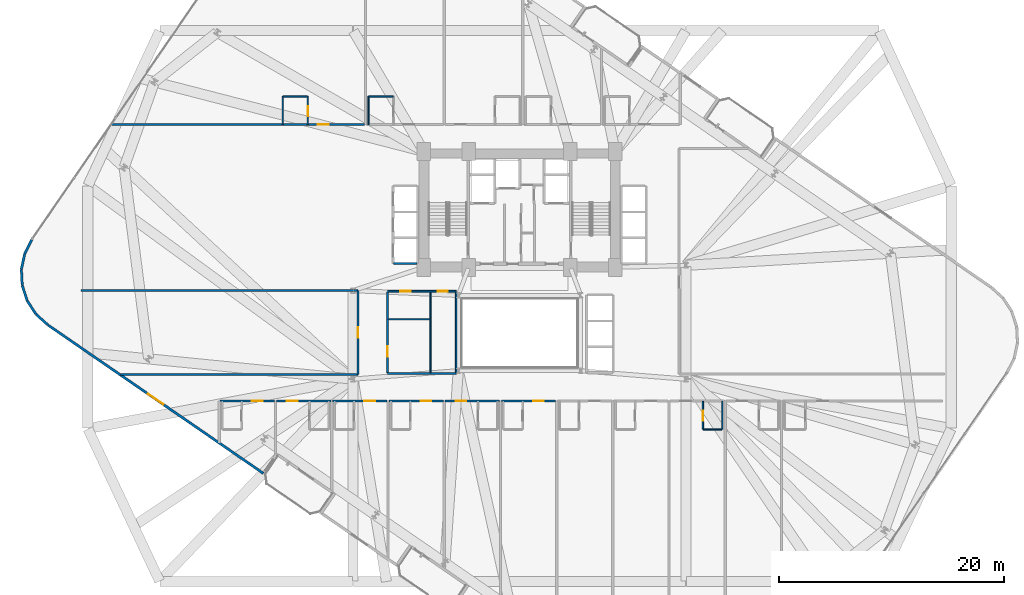
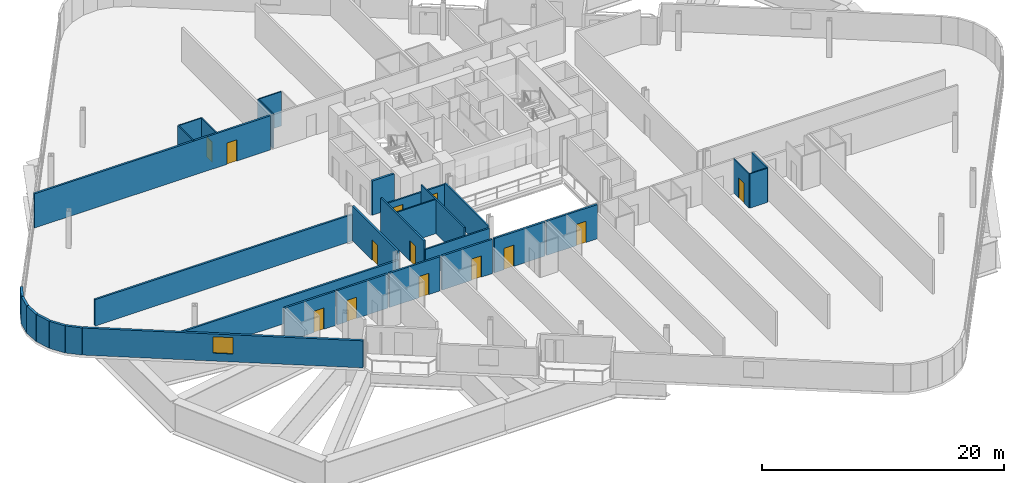
# One storey, part 19 of 26: 32 walls, 13 doors, 1 window, 14 openings.
"""IFC4 building model written with IfcOpenShell, lengths in metres."""

from ifc_helpers import new_model, si_unit, direction, frame, frame_2d, origin, place, context, subcontext, project, spatial, rectangle, extrude, material, layer, layer_set, type_object, element, fill, save


model = new_model("IFC4")

# Units and contexts
model_context = context("Model", 3, precision=1e-05, world=origin(), true_north=direction((0.0, 1.0)))
body_context = subcontext(model_context, "Body", "Model", "MODEL_VIEW")
ifc_project = project(units=[si_unit("LENGTHUNIT", "METRE"), si_unit("AREAUNIT", "SQUARE_METRE"), si_unit("VOLUMEUNIT", "CUBIC_METRE"), si_unit("PLANEANGLEUNIT", "RADIAN"), si_unit("MASSUNIT", "GRAM", prefix="KILO")], contexts=[model_context])

# Site, building, storey
site_placement = place(None, origin())
site = spatial("IfcSite", under=ifc_project, at=site_placement, CompositionType="ELEMENT")
building_placement = place(site_placement, origin())
building = spatial("IfcBuilding", under=site, at=building_placement, Name="Varnelok Gate Tower", CompositionType="ELEMENT")
storey_placement = place(building_placement, frame((0.0, 0.0, 27.0)))
storey = spatial("IfcBuildingStorey", under=building, at=storey_placement, Name="L05", CompositionType="ELEMENT", Elevation=27.0)

# Walls
ifc_material_1 = material(Name="Concrete C45/55", Category="concrete")
ifc_layer_1 = layer(ifc_material_1, 0.219970703125)
ifc_layer_set_1 = layer_set([ifc_layer_1], Name="Concrete C45/55")
wall_type_1 = type_object("IfcWallType", Name="EW-BALC-220", PredefinedType="SOLIDWALL", material=ifc_layer_set_1)
wall_1_placement = place(storey_placement, frame((-4.158203125, 31.24462890625, 0.0), z_axis=(0.0, 0.0, 1.0), x_axis=(-0.454777156549, -0.890605264908, 0.0)))
element("IfcWall", 1, at=wall_1_placement, inside=storey, type_object=wall_type_1, Name="L05 Perimeter Facade Closure Wall 1", PredefinedType="SOLIDWALL", context=body_context, shape_type="SweptSolid", body=[
    extrude(rectangle(XDim=1.43017578125, YDim=0.219970703125, at=frame_2d((0.715087890625, 0.0))), origin(), (0.0, 0.0, 1.0), 2.72998046875),
])
for number, where, z_axis, x_axis, name in (
    (2, (-4.81396484375, 29.946533203125, 0.0), (0.0, 0.0, 1.0), (-0.208829011645, -0.977952168511, 0.0), "L05 Perimeter Facade Closure Wall 2"),
    (3, (-5.106201171875, 28.547119140625, 0.0), (0.0, 0.0, 1.0), (0.051254741739, -0.998685611917, 0.0), "L05 Perimeter Facade Closure Wall 3"),
    (4, (-5.026611328125, 27.1201171875, 0.0), (0.0, 0.0, 1.0), (0.308190297603, -0.95132472924, 0.0), "L05 Perimeter Facade Closure Wall 4"),
    (5, (-4.580078125, 25.76220703125, 0.0), (0.0, 0.0, 1.0), (0.543748195851, -0.839248413468, 0.0), "L05 Perimeter Facade Closure Wall 5"),
):
    element("IfcWall", number, at=place(storey_placement, frame(where, z_axis=z_axis, x_axis=x_axis)), inside=storey, type_object=wall_type_1, Name=name, PredefinedType="SOLIDWALL", context=body_context, shape_type="SweptSolid", body=[
        extrude(rectangle(XDim=1.4052734375, YDim=0.219970703125, at=frame_2d((0.70263671875, 0.0))), origin(), (0.0, 0.0, 1.0), 2.72998046875),
    ])
wall_2_placement = place(storey_placement, frame((-3.79736328125, 24.56591796875, 0.0), z_axis=(0.0, 0.0, 1.0), x_axis=(0.742537711837, -0.66980425984, 0.0)))
element("IfcWall", 6, at=wall_2_placement, inside=storey, type_object=wall_type_1, Name="L05 Perimeter Facade Closure Wall 6", PredefinedType="SOLIDWALL", context=body_context, shape_type="SweptSolid", body=[
    extrude(rectangle(XDim=1.4130859375, YDim=0.219970703125, at=frame_2d((0.70654296875, 0.0))), origin(), (0.0, 0.0, 1.0), 2.72998046875),
])

# Wall, opening, window
wall_3_placement = place(storey_placement, frame((-2.7275390625, 23.60498046875, 0.0), z_axis=(0.0, 0.0, 1.0), x_axis=(0.823535075462, -0.567265351915, 0.0)))
wall_3 = element("IfcWall", 7, at=wall_3_placement, inside=storey, type_object=wall_type_1, Name="L05 Perimeter Facade Closure Wall 7", PredefinedType="SOLIDWALL", context=body_context, shape_type="SweptSolid", body=[
    extrude(rectangle(XDim=23.2470703125, YDim=0.219970703125, at=frame_2d((11.62353515625, 0.0))), origin(), (0.0, 0.0, 1.0), 2.72998046875),
])
opening_1_placement = place(wall_3_placement, frame((10.798583984375, 0.0, 0.800048828125)))
opening_1 = element("IfcOpeningElement", 8, at=opening_1_placement, cuts=wall_3, Name="Opening WN3", PredefinedType="OPENING", context=body_context, shape_type="SweptSolid", body=[
    extrude(rectangle(XDim=1.64990234375, YDim=1.64990234375, at=frame_2d((0.824951171875, 0.824951171875))), frame((0.0, 0.119873046875, 0.0), z_axis=(0.0, -1.0, 0.0), x_axis=(1.0, 0.0, 0.0)), (0.0, 0.0, 1.0), 0.239990234375),
])
ifc_material_2 = material(Name="Low-E Laminated Double Glazing IGU", Category="glass")
window_type = type_object("IfcWindowType", Name="WN-HTL-1650", PartitioningType="SINGLE_PANEL", PredefinedType="WINDOW", material=ifc_material_2)
window_placement = place(opening_1_placement, origin())
window = element("IfcWindow", 9, at=window_placement, inside=storey, type_object=window_type, Name="L05 Perimeter Vision Window 7", OverallHeight=1.64990234375, OverallWidth=1.64990234375, PartitioningType="SINGLE_PANEL", PredefinedType="WINDOW", context=body_context, shape_type="SweptSolid", body=[
    extrude(rectangle(XDim=1.64990234375, YDim=1.64990234375, at=frame_2d((0.824951171875, 0.824951171875))), frame((0.0, 0.030029296875, 0.0), z_axis=(0.0, -1.0, 0.0), x_axis=(1.0, 0.0, 0.0)), (0.0, 0.0, 1.0), 0.06005859375),
])
fill(opening_1, window)

# Wall, opening, door
ifc_material_3 = material(Name="Gypsum Plasterboard Acoustic Partition", Category="gypsum")
ifc_layer_2 = layer(ifc_material_3, 0.179931640625)
ifc_layer_set_2 = layer_set([ifc_layer_2], Name="Gypsum Plasterboard Acoustic Partition")
wall_type_2 = type_object("IfcWallType", Name="PW-CORR-180", PredefinedType="PARTITIONING", material=ifc_layer_set_2)
wall_4_placement = place(storey_placement, frame((12.580078125, 16.85009765625, 0.0), z_axis=(0.0, 0.0, 1.0), x_axis=(1.0, 0.0, 0.0)))
wall_4 = element("IfcWall", 10, at=wall_4_placement, inside=storey, type_object=wall_type_2, Name="Interior Partition", PredefinedType="PARTITIONING", context=body_context, shape_type="SweptSolid", body=[
    extrude(rectangle(XDim=4.83984375, YDim=0.179931640625, at=frame_2d((2.419921875, 0.0))), origin(), (0.0, 0.0, 1.0), 3.449951171875),
])
opening_2_placement = place(wall_4_placement, frame((2.819091796875, 0.0, 0.0)))
opening_2 = element("IfcOpeningElement", 11, at=opening_2_placement, cuts=wall_4, Name="Opening D-HT", PredefinedType="OPENING", context=body_context, shape_type="SweptSolid", body=[
    extrude(rectangle(XDim=0.949951171875, YDim=2.14990234375, at=frame_2d((0.47509765625, 1.074951171875))), frame((0.0, 0.099853515625, 0.0), z_axis=(0.0, -1.0, 0.0), x_axis=(1.0, 0.0, 0.0)), (0.0, 0.0, 1.0), 0.199951171875),
])
ifc_material_4 = material(Name="Engineered Hardwood Timber", Category="wood")
door_type_1 = type_object("IfcDoorType", Name="DR-HTL-950", OperationType="NOTDEFINED", PredefinedType="DOOR", material=ifc_material_4)
door_1_placement = place(opening_2_placement, origin())
door_1 = element("IfcDoor", 12, at=door_1_placement, inside=storey, type_object=door_type_1, Name="L05 Guest Room 02 Entrance Door", OperationType="SINGLE_SWING_LEFT", OverallHeight=2.14990234375, OverallWidth=0.949951171875, PredefinedType="DOOR", context=body_context, shape_type="SweptSolid", body=[
    extrude(rectangle(XDim=0.949951171875, YDim=2.14990234375, at=frame_2d((0.47509765625, 1.074951171875))), frame((0.0, 0.02490234375, 0.0), z_axis=(0.0, -1.0, 0.0), x_axis=(1.0, 0.0, 0.0)), (0.0, 0.0, 1.0), 0.050048828125),
])
fill(opening_2, door_1)

wall_5_placement = place(storey_placement, frame((17.580078125, 16.85009765625, 0.0), z_axis=(0.0, 0.0, 1.0), x_axis=(1.0, 0.0, 0.0)))
wall_5 = element("IfcWall", 13, at=wall_5_placement, inside=storey, type_object=wall_type_2, Name="Interior Partition", PredefinedType="PARTITIONING", context=body_context, shape_type="SweptSolid", body=[
    extrude(rectangle(XDim=4.83984375, YDim=0.179931640625, at=frame_2d((2.419921875, 0.0))), origin(), (0.0, 0.0, 1.0), 3.449951171875),
])
opening_3_placement = place(wall_5_placement, frame((0.92919921875, 0.0, 0.0)))
opening_3 = element("IfcOpeningElement", 14, at=opening_3_placement, cuts=wall_5, Name="Opening D-HT", PredefinedType="OPENING", context=body_context, shape_type="SweptSolid", body=[
    extrude(rectangle(XDim=0.949951171875, YDim=2.14990234375, at=frame_2d((0.47509765625, 1.074951171875))), frame((0.0, 0.099853515625, 0.0), z_axis=(0.0, -1.0, 0.0), x_axis=(1.0, 0.0, 0.0)), (0.0, 0.0, 1.0), 0.199951171875),
])
door_2_placement = place(opening_3_placement, origin())
door_2 = element("IfcDoor", 15, at=door_2_placement, inside=storey, type_object=door_type_1, Name="L05 Guest Room 03 Entrance Door", OperationType="SINGLE_SWING_RIGHT", OverallHeight=2.14990234375, OverallWidth=0.949951171875, PredefinedType="DOOR", context=body_context, shape_type="SweptSolid", body=[
    extrude(rectangle(XDim=0.949951171875, YDim=2.14990234375, at=frame_2d((0.47509765625, 1.074951171875))), frame((0.0, 0.02490234375, 0.0), z_axis=(0.0, -1.0, 0.0), x_axis=(1.0, 0.0, 0.0)), (0.0, 0.0, 1.0), 0.050048828125),
])
fill(opening_3, door_2)

wall_6_placement = place(storey_placement, frame((22.580078125, 16.85009765625, 0.0), z_axis=(0.0, 0.0, 1.0), x_axis=(1.0, 0.0, 0.0)))
wall_6 = element("IfcWall", 16, at=wall_6_placement, inside=storey, type_object=wall_type_2, Name="Interior Partition", PredefinedType="PARTITIONING", context=body_context, shape_type="SweptSolid", body=[
    extrude(rectangle(XDim=4.83984375, YDim=0.179931640625, at=frame_2d((2.419921875, 0.0))), origin(), (0.0, 0.0, 1.0), 3.449951171875),
])
opening_4_placement = place(wall_6_placement, frame((2.819091796875, 0.0, 0.0)))
opening_4 = element("IfcOpeningElement", 17, at=opening_4_placement, cuts=wall_6, Name="Opening D-HT", PredefinedType="OPENING", context=body_context, shape_type="SweptSolid", body=[
    extrude(rectangle(XDim=0.949951171875, YDim=2.14990234375, at=frame_2d((0.47509765625, 1.074951171875))), frame((0.0, 0.099853515625, 0.0), z_axis=(0.0, -1.0, 0.0), x_axis=(1.0, 0.0, 0.0)), (0.0, 0.0, 1.0), 0.199951171875),
])
door_3_placement = place(opening_4_placement, origin())
door_3 = element("IfcDoor", 18, at=door_3_placement, inside=storey, type_object=door_type_1, Name="L05 Guest Room 04 Entrance Door", OperationType="SINGLE_SWING_LEFT", OverallHeight=2.14990234375, OverallWidth=0.949951171875, PredefinedType="DOOR", context=body_context, shape_type="SweptSolid", body=[
    extrude(rectangle(XDim=0.949951171875, YDim=2.14990234375, at=frame_2d((0.47509765625, 1.074951171875))), frame((0.0, 0.02490234375, 0.0), z_axis=(0.0, -1.0, 0.0), x_axis=(1.0, 0.0, 0.0)), (0.0, 0.0, 1.0), 0.050048828125),
])
fill(opening_4, door_3)

wall_7_placement = place(storey_placement, frame((27.580078125, 16.85009765625, 0.0), z_axis=(0.0, 0.0, 1.0), x_axis=(1.0, 0.0, 0.0)))
wall_7 = element("IfcWall", 19, at=wall_7_placement, inside=storey, type_object=wall_type_2, Name="Interior Partition", PredefinedType="PARTITIONING", context=body_context, shape_type="SweptSolid", body=[
    extrude(rectangle(XDim=4.83984375, YDim=0.179931640625, at=frame_2d((2.419921875, 0.0))), origin(), (0.0, 0.0, 1.0), 3.449951171875),
])
opening_5_placement = place(wall_7_placement, frame((2.819091796875, 0.0, 0.0)))
opening_5 = element("IfcOpeningElement", 20, at=opening_5_placement, cuts=wall_7, Name="Opening D-HT", PredefinedType="OPENING", context=body_context, shape_type="SweptSolid", body=[
    extrude(rectangle(XDim=0.949951171875, YDim=2.14990234375, at=frame_2d((0.47509765625, 1.074951171875))), frame((0.0, 0.099853515625, 0.0), z_axis=(0.0, -1.0, 0.0), x_axis=(1.0, 0.0, 0.0)), (0.0, 0.0, 1.0), 0.199951171875),
])
door_4_placement = place(opening_5_placement, origin())
door_4 = element("IfcDoor", 21, at=door_4_placement, inside=storey, type_object=door_type_1, Name="L05 Guest Room 05 Entrance Door", OperationType="SINGLE_SWING_RIGHT", OverallHeight=2.14990234375, OverallWidth=0.949951171875, PredefinedType="DOOR", context=body_context, shape_type="SweptSolid", body=[
    extrude(rectangle(XDim=0.949951171875, YDim=2.14990234375, at=frame_2d((0.47509765625, 1.074951171875))), frame((0.0, 0.02490234375, 0.0), z_axis=(0.0, -1.0, 0.0), x_axis=(1.0, 0.0, 0.0)), (0.0, 0.0, 1.0), 0.050048828125),
])
fill(opening_5, door_4)

wall_8_placement = place(storey_placement, frame((32.580078125, 16.85009765625, 0.0), z_axis=(0.0, 0.0, 1.0), x_axis=(1.0, 0.0, 0.0)))
wall_8 = element("IfcWall", 22, at=wall_8_placement, inside=storey, type_object=wall_type_2, Name="Interior Partition", PredefinedType="PARTITIONING", context=body_context, shape_type="SweptSolid", body=[
    extrude(rectangle(XDim=4.83984375, YDim=0.179931640625, at=frame_2d((2.419921875, 0.0))), origin(), (0.0, 0.0, 1.0), 3.449951171875),
])
opening_6_placement = place(wall_8_placement, frame((0.92919921875, 0.0, 0.0)))
opening_6 = element("IfcOpeningElement", 23, at=opening_6_placement, cuts=wall_8, Name="Opening D-HT", PredefinedType="OPENING", context=body_context, shape_type="SweptSolid", body=[
    extrude(rectangle(XDim=0.949951171875, YDim=2.14990234375, at=frame_2d((0.47509765625, 1.074951171875))), frame((0.0, 0.099853515625, 0.0), z_axis=(0.0, -1.0, 0.0), x_axis=(1.0, 0.0, 0.0)), (0.0, 0.0, 1.0), 0.199951171875),
])
door_5_placement = place(opening_6_placement, origin())
door_5 = element("IfcDoor", 24, at=door_5_placement, inside=storey, type_object=door_type_1, Name="L05 Guest Room 06 Entrance Door", OperationType="SINGLE_SWING_LEFT", OverallHeight=2.14990234375, OverallWidth=0.949951171875, PredefinedType="DOOR", context=body_context, shape_type="SweptSolid", body=[
    extrude(rectangle(XDim=0.949951171875, YDim=2.14990234375, at=frame_2d((0.47509765625, 1.074951171875))), frame((0.0, 0.02490234375, 0.0), z_axis=(0.0, -1.0, 0.0), x_axis=(1.0, 0.0, 0.0)), (0.0, 0.0, 1.0), 0.050048828125),
])
fill(opening_6, door_5)

wall_9_placement = place(storey_placement, frame((37.580078125, 16.85009765625, 0.0), z_axis=(0.0, 0.0, 1.0), x_axis=(1.0, 0.0, 0.0)))
wall_9 = element("IfcWall", 25, at=wall_9_placement, inside=storey, type_object=wall_type_2, Name="Interior Partition", PredefinedType="PARTITIONING", context=body_context, shape_type="SweptSolid", body=[
    extrude(rectangle(XDim=4.83984375, YDim=0.179931640625, at=frame_2d((2.419921875, 0.0))), origin(), (0.0, 0.0, 1.0), 3.449951171875),
])
opening_7_placement = place(wall_9_placement, frame((2.819091796875, 0.0, 0.0)))
opening_7 = element("IfcOpeningElement", 26, at=opening_7_placement, cuts=wall_9, Name="Opening D-HT", PredefinedType="OPENING", context=body_context, shape_type="SweptSolid", body=[
    extrude(rectangle(XDim=0.949951171875, YDim=2.14990234375, at=frame_2d((0.47509765625, 1.074951171875))), frame((0.0, 0.099853515625, 0.0), z_axis=(0.0, -1.0, 0.0), x_axis=(1.0, 0.0, 0.0)), (0.0, 0.0, 1.0), 0.199951171875),
])
door_6_placement = place(opening_7_placement, origin())
door_6 = element("IfcDoor", 27, at=door_6_placement, inside=storey, type_object=door_type_1, Name="L05 Guest Room 07 Entrance Door", OperationType="SINGLE_SWING_RIGHT", OverallHeight=2.14990234375, OverallWidth=0.949951171875, PredefinedType="DOOR", context=body_context, shape_type="SweptSolid", body=[
    extrude(rectangle(XDim=0.949951171875, YDim=2.14990234375, at=frame_2d((0.47509765625, 1.074951171875))), frame((0.0, 0.02490234375, 0.0), z_axis=(0.0, -1.0, 0.0), x_axis=(1.0, 0.0, 0.0)), (0.0, 0.0, 1.0), 0.050048828125),
])
fill(opening_7, door_6)

wall_10_placement = place(storey_placement, frame((2.9208984375, 41.429931640625, 0.0), z_axis=(0.0, 0.0, 1.0), x_axis=(1.0, 0.0, 0.0)))
wall_10 = element("IfcWall", 28, at=wall_10_placement, inside=storey, type_object=wall_type_2, Name="Interior Partition", PredefinedType="PARTITIONING", context=body_context, shape_type="SweptSolid", body=[
    extrude(rectangle(XDim=22.4990234375, YDim=0.179931640625, at=frame_2d((11.24951171875, 0.0))), origin(), (0.0, 0.0, 1.0), 3.449951171875),
])
opening_8_placement = place(wall_10_placement, frame((18.35009765625, 0.0, 0.0)))
opening_8 = element("IfcOpeningElement", 29, at=opening_8_placement, cuts=wall_10, Name="Opening D-HT", PredefinedType="OPENING", context=body_context, shape_type="SweptSolid", body=[
    extrude(rectangle(XDim=0.949951171875, YDim=2.14990234375, at=frame_2d((0.47509765625, 1.074951171875))), frame((0.0, 0.099853515625, 0.0), z_axis=(0.0, -1.0, 0.0), x_axis=(1.0, 0.0, 0.0)), (0.0, 0.0, 1.0), 0.199951171875),
])
door_7_placement = place(opening_8_placement, origin())
door_7 = element("IfcDoor", 30, at=door_7_placement, inside=storey, type_object=door_type_1, Name="L05 Guest Room 13 Entrance Door", OperationType="SINGLE_SWING_RIGHT", OverallHeight=2.14990234375, OverallWidth=0.949951171875, PredefinedType="DOOR", context=body_context, shape_type="SweptSolid", body=[
    extrude(rectangle(XDim=0.949951171875, YDim=2.14990234375, at=frame_2d((0.47509765625, 1.074951171875))), frame((0.0, 0.02490234375, 0.0), z_axis=(0.0, -1.0, 0.0), x_axis=(1.0, 0.0, 0.0)), (0.0, 0.0, 1.0), 0.050048828125),
])
fill(opening_8, door_7)

wall_11_placement = place(storey_placement, frame((24.85009765625, 19.199951171875, 0.0), z_axis=(0.0, 0.0, 1.0), x_axis=(0.0, 1.0, 0.0)))
wall_11 = element("IfcWall", 31, at=wall_11_placement, inside=storey, type_object=wall_type_2, Name="Interior Partition", PredefinedType="PARTITIONING", context=body_context, shape_type="SweptSolid", body=[
    extrude(rectangle(XDim=7.5, YDim=0.179931640625, at=frame_2d((3.75, 0.0))), origin(), (0.0, 0.0, 1.0), 3.449951171875),
])
opening_9_placement = place(wall_11_placement, frame((3.27490234375, 0.0, 0.0)))
opening_9 = element("IfcOpeningElement", 32, at=opening_9_placement, cuts=wall_11, Name="Opening D-I2", PredefinedType="OPENING", context=body_context, shape_type="SweptSolid", body=[
    extrude(rectangle(XDim=0.949951171875, YDim=2.050048828125, at=frame_2d((0.47509765625, 1.02490234375))), frame((0.0, 0.099853515625, 0.0), z_axis=(0.0, -1.0, 0.0), x_axis=(1.0, 0.0, 0.0)), (0.0, 0.0, 1.0), 0.199951171875),
])
door_type_2 = type_object("IfcDoorType", Name="DR-INT-950", OperationType="NOTDEFINED", PredefinedType="DOOR", material=ifc_material_4)
door_8_placement = place(opening_9_placement, origin())
door_8 = element("IfcDoor", 33, at=door_8_placement, inside=storey, type_object=door_type_2, Name="L05 West Flank Room Door", OperationType="SINGLE_SWING_LEFT", OverallHeight=2.050048828125, OverallWidth=0.949951171875, PredefinedType="DOOR", context=body_context, shape_type="SweptSolid", body=[
    extrude(rectangle(XDim=0.949951171875, YDim=2.050048828125, at=frame_2d((0.47509765625, 1.02490234375))), frame((0.0, 0.02490234375, 0.0), z_axis=(0.0, -1.0, 0.0), x_axis=(1.0, 0.0, 0.0)), (0.0, 0.0, 1.0), 0.050048828125),
])
fill(opening_9, door_8)

# Walls
wall_12_placement = place(storey_placement, frame((3.702880859375, 19.199951171875, 0.0), z_axis=(0.0, 0.0, 1.0), x_axis=(1.0, 0.0, 0.0)))
element("IfcWall", 34, at=wall_12_placement, inside=storey, type_object=wall_type_2, Name="Interior Partition", PredefinedType="PARTITIONING", context=body_context, shape_type="SweptSolid", body=[
    extrude(rectangle(XDim=21.147216796875, YDim=0.179931640625, at=frame_2d((10.57373046875, 0.0))), origin(), (0.0, 0.0, 1.0), 2.580078125),
])
wall_13_placement = place(storey_placement, frame((0.199951171875, 26.699951171875, 0.0), z_axis=(0.0, 0.0, 1.0), x_axis=(1.0, 0.0, 0.0)))
element("IfcWall", 35, at=wall_13_placement, inside=storey, type_object=wall_type_2, Name="Interior Partition", PredefinedType="PARTITIONING", context=body_context, shape_type="SweptSolid", body=[
    extrude(rectangle(XDim=24.650146484375, YDim=0.179931640625, at=frame_2d((12.3251953125, 0.0))), origin(), (0.0, 0.0, 1.0), 2.662109375),
])
ifc_layer_3 = layer(ifc_material_3, 0.114990234375)
ifc_layer_set_3 = layer_set([ifc_layer_3], Name="Gypsum Plasterboard Acoustic Partition")
wall_type_3 = type_object("IfcWallType", Name="PW-ENS-125", PredefinedType="PARTITIONING", material=ifc_layer_set_3)
wall_14_placement = place(storey_placement, frame((55.550048828125, 14.330078125, 0.0), z_axis=(0.0, 0.0, 1.0), x_axis=(1.0, 0.0, 0.0)))
element("IfcWall", 36, at=wall_14_placement, inside=storey, type_object=wall_type_3, Name="Interior Partition", PredefinedType="PARTITIONING", context=body_context, shape_type="SweptSolid", body=[
    extrude(rectangle(XDim=1.64990234375, YDim=0.114990234375, at=frame_2d((0.824951171875, 0.0))), origin(), (0.0, 0.0, 1.0), 3.449951171875),
])

# Wall, opening, door
wall_15_placement = place(storey_placement, frame((55.510009765625, 14.330078125, 0.0), z_axis=(0.0, 0.0, 1.0), x_axis=(0.0, 1.0, 0.0)))
wall_15 = element("IfcWall", 37, at=wall_15_placement, inside=storey, type_object=wall_type_3, Name="Interior Partition", PredefinedType="PARTITIONING", context=body_context, shape_type="SweptSolid", body=[
    extrude(rectangle(XDim=2.52001953125, YDim=0.114990234375, at=frame_2d((1.260009765625, 0.0))), origin(), (0.0, 0.0, 1.0), 3.449951171875),
])
opening_10_placement = place(wall_15_placement, frame((0.760009765625, 0.0, 0.0)))
opening_10 = element("IfcOpeningElement", 38, at=opening_10_placement, cuts=wall_15, Name="Opening D-WC", PredefinedType="OPENING", context=body_context, shape_type="SweptSolid", body=[
    extrude(rectangle(XDim=0.89990234375, YDim=2.050048828125, at=frame_2d((0.449951171875, 1.02490234375))), frame((0.0, 0.0673828125, 0.0), z_axis=(0.0, -1.0, 0.0), x_axis=(1.0, 0.0, 0.0)), (0.0, 0.0, 1.0), 0.135009765625),
])
door_type_3 = type_object("IfcDoorType", Name="DR-BATH-900", OperationType="NOTDEFINED", PredefinedType="DOOR", material=ifc_material_4)
door_9_placement = place(opening_10_placement, origin())
door_9 = element("IfcDoor", 39, at=door_9_placement, inside=storey, type_object=door_type_3, Name="L05 Guest En-Suite 10 Door", OperationType="SINGLE_SWING_RIGHT", OverallHeight=2.050048828125, OverallWidth=0.89990234375, PredefinedType="DOOR", context=body_context, shape_type="SweptSolid", body=[
    extrude(rectangle(XDim=0.89990234375, YDim=2.050048828125, at=frame_2d((0.449951171875, 1.02490234375))), frame((0.0, 0.02490234375, 0.0), z_axis=(0.0, -1.0, 0.0), x_axis=(1.0, 0.0, 0.0)), (0.0, 0.0, 1.0), 0.050048828125),
])
fill(opening_10, door_9)

# Walls
wall_16_placement = place(storey_placement, frame((57.239990234375, 14.330078125, 0.0), z_axis=(0.0, 0.0, 1.0), x_axis=(0.0, 1.0, 0.0)))
element("IfcWall", 40, at=wall_16_placement, inside=storey, type_object=wall_type_3, Name="Interior Partition", PredefinedType="PARTITIONING", context=body_context, shape_type="SweptSolid", body=[
    extrude(rectangle(XDim=2.52001953125, YDim=0.114990234375, at=frame_2d((1.260009765625, 0.0))), origin(), (0.0, 0.0, 1.0), 3.449951171875),
])
wall_17_placement = place(storey_placement, frame((18.179931640625, 43.949951171875, 0.0), z_axis=(0.0, 0.0, 1.0), x_axis=(1.0, 0.0, 0.0)))
element("IfcWall", 41, at=wall_17_placement, inside=storey, type_object=wall_type_3, Name="Interior Partition", PredefinedType="PARTITIONING", context=body_context, shape_type="SweptSolid", body=[
    extrude(rectangle(XDim=2.150146484375, YDim=0.114990234375, at=frame_2d((1.0751953125, 0.0))), origin(), (0.0, 0.0, 1.0), 3.449951171875),
])

# Wall, opening, door
wall_18_placement = place(storey_placement, frame((20.3701171875, 41.429931640625, 0.0), z_axis=(0.0, 0.0, 1.0), x_axis=(0.0, 1.0, 0.0)))
wall_18 = element("IfcWall", 42, at=wall_18_placement, inside=storey, type_object=wall_type_3, Name="Interior Partition", PredefinedType="PARTITIONING", context=body_context, shape_type="SweptSolid", body=[
    extrude(rectangle(XDim=2.52001953125, YDim=0.114990234375, at=frame_2d((1.260009765625, 0.0))), origin(), (0.0, 0.0, 1.0), 3.449951171875),
])
opening_11_placement = place(wall_18_placement, frame((0.760009765625, 0.0, 0.0)))
opening_11 = element("IfcOpeningElement", 43, at=opening_11_placement, cuts=wall_18, Name="Opening D-WC", PredefinedType="OPENING", context=body_context, shape_type="SweptSolid", body=[
    extrude(rectangle(XDim=0.89990234375, YDim=2.050048828125, at=frame_2d((0.449951171875, 1.02490234375))), frame((0.0, 0.0673828125, 0.0), z_axis=(0.0, -1.0, 0.0), x_axis=(1.0, 0.0, 0.0)), (0.0, 0.0, 1.0), 0.135009765625),
])
door_10_placement = place(opening_11_placement, origin())
door_10 = element("IfcDoor", 44, at=door_10_placement, inside=storey, type_object=door_type_3, Name="L05 North En-Suite 13 Door", OperationType="SINGLE_SWING_RIGHT", OverallHeight=2.050048828125, OverallWidth=0.89990234375, PredefinedType="DOOR", context=body_context, shape_type="SweptSolid", body=[
    extrude(rectangle(XDim=0.89990234375, YDim=2.050048828125, at=frame_2d((0.449951171875, 1.02490234375))), frame((0.0, 0.02490234375, 0.0), z_axis=(0.0, -1.0, 0.0), x_axis=(1.0, 0.0, 0.0)), (0.0, 0.0, 1.0), 0.050048828125),
])
fill(opening_11, door_10)

# Walls
wall_19_placement = place(storey_placement, frame((18.139892578125, 41.429931640625, 0.0), z_axis=(0.0, 0.0, 1.0), x_axis=(0.0, 1.0, 0.0)))
element("IfcWall", 45, at=wall_19_placement, inside=storey, type_object=wall_type_3, Name="Interior Partition", PredefinedType="PARTITIONING", context=body_context, shape_type="SweptSolid", body=[
    extrude(rectangle(XDim=2.52001953125, YDim=0.114990234375, at=frame_2d((1.260009765625, 0.0))), origin(), (0.0, 0.0, 1.0), 3.449951171875),
])
wall_20_placement = place(storey_placement, frame((25.800048828125, 43.949951171875, 0.0), z_axis=(0.0, 0.0, 1.0), x_axis=(1.0, 0.0, 0.0)))
element("IfcWall", 46, at=wall_20_placement, inside=storey, type_object=wall_type_3, Name="Interior Partition", PredefinedType="PARTITIONING", context=body_context, shape_type="SweptSolid", body=[
    extrude(rectangle(XDim=2.14990234375, YDim=0.114990234375, at=frame_2d((1.074951171875, 0.0))), origin(), (0.0, 0.0, 1.0), 3.449951171875),
])
wall_21_placement = place(storey_placement, frame((25.760009765625, 41.429931640625, 0.0), z_axis=(0.0, 0.0, 1.0), x_axis=(0.0, 1.0, 0.0)))
element("IfcWall", 47, at=wall_21_placement, inside=storey, type_object=wall_type_3, Name="Interior Partition", PredefinedType="PARTITIONING", context=body_context, shape_type="SweptSolid", body=[
    extrude(rectangle(XDim=2.52001953125, YDim=0.114990234375, at=frame_2d((1.260009765625, 0.0))), origin(), (0.0, 0.0, 1.0), 3.449951171875),
])
ifc_layer_4 = layer(ifc_material_3, 0.125)
ifc_layer_set_4 = layer_set([ifc_layer_4], Name="Gypsum Plasterboard Acoustic Partition")
wall_type_4 = type_object("IfcWallType", Name="PW-PART-125", PredefinedType="PARTITIONING", material=ifc_layer_set_4)
wall_22_placement = place(storey_placement, frame((31.280029296875, 19.3798828125, 0.0), z_axis=(0.0, 0.0, 1.0), x_axis=(0.0, 1.0, 0.0)))
element("IfcWall", 48, at=wall_22_placement, inside=storey, type_object=wall_type_4, Name="Interior Partition", PredefinedType="PARTITIONING", context=body_context, shape_type="SweptSolid", body=[
    extrude(rectangle(XDim=7.16015625, YDim=0.125, at=frame_2d((3.580078125, 0.0))), origin(), (0.0, 0.0, 1.0), 3.449951171875),
])
wall_23_placement = place(storey_placement, frame((27.52001953125, 24.1298828125, 0.0), z_axis=(0.0, 0.0, 1.0), x_axis=(1.0, 0.0, 0.0)))
element("IfcWall", 49, at=wall_23_placement, inside=storey, type_object=wall_type_4, Name="Interior Partition", PredefinedType="PARTITIONING", context=body_context, shape_type="SweptSolid", body=[
    extrude(rectangle(XDim=3.699951171875, YDim=0.125, at=frame_2d((1.85009765625, 0.0))), origin(), (0.0, 0.0, 1.0), 3.449951171875),
])
ifc_layer_5 = layer(ifc_material_3, 0.14990234375)
ifc_layer_set_5 = layer_set([ifc_layer_5], Name="Gypsum Plasterboard Acoustic Partition")
wall_type_5 = type_object("IfcWallType", Name="PW-PART-150", PredefinedType="PARTITIONING", material=ifc_layer_set_5)
wall_24_placement = place(storey_placement, frame((27.4599609375, 19.300048828125, 0.0), z_axis=(0.0, 0.0, 1.0), x_axis=(1.0, 0.0, 0.0)))
element("IfcWall", 50, at=wall_24_placement, inside=storey, type_object=wall_type_5, Name="Interior Partition", PredefinedType="PARTITIONING", context=body_context, shape_type="SweptSolid", body=[
    extrude(rectangle(XDim=6.10009765625, YDim=0.14990234375, at=frame_2d((3.050048828125, 0.0))), origin(), (0.0, 0.0, 1.0), 2.662109375),
])

# Wall, openings, doors
wall_25_placement = place(storey_placement, frame((27.4599609375, 26.6201171875, 0.0), z_axis=(0.0, 0.0, 1.0), x_axis=(1.0, 0.0, 0.0)))
wall_25 = element("IfcWall", 51, at=wall_25_placement, inside=storey, type_object=wall_type_5, Name="Interior Partition", PredefinedType="PARTITIONING", context=body_context, shape_type="SweptSolid", body=[
    extrude(rectangle(XDim=6.10009765625, YDim=0.14990234375, at=frame_2d((3.050048828125, 0.0))), origin(), (0.0, 0.0, 1.0), 2.662109375),
])
opening_12_placement = place(wall_25_placement, frame((1.14990234375, 0.0, 0.0)))
opening_12 = element("IfcOpeningElement", 52, at=opening_12_placement, cuts=wall_25, Name="Opening D-WC", PredefinedType="OPENING", context=body_context, shape_type="SweptSolid", body=[
    extrude(rectangle(XDim=0.89990234375, YDim=2.050048828125, at=frame_2d((0.449951171875, 1.02490234375))), frame((0.0, 0.0849609375, 0.0), z_axis=(0.0, -1.0, 0.0), x_axis=(1.0, 0.0, 0.0)), (0.0, 0.0, 1.0), 0.169921875),
])
opening_13_placement = place(wall_25_placement, frame((4.449951171875, 0.0, 0.0)))
opening_13 = element("IfcOpeningElement", 53, at=opening_13_placement, cuts=wall_25, Name="Opening D-I3", PredefinedType="OPENING", context=body_context, shape_type="SweptSolid", body=[
    extrude(rectangle(XDim=0.919921875, YDim=2.050048828125, at=frame_2d((0.4599609375, 1.02490234375))), frame((0.0, 0.0849609375, 0.0), z_axis=(0.0, -1.0, 0.0), x_axis=(1.0, 0.0, 0.0)), (0.0, 0.0, 1.0), 0.169921875),
])
door_11_placement = place(opening_12_placement, origin())
door_11 = element("IfcDoor", 54, at=door_11_placement, inside=storey, type_object=door_type_3, Name="L05 Accessible Floor WC Door", OperationType="SINGLE_SWING_LEFT", OverallHeight=2.050048828125, OverallWidth=0.89990234375, PredefinedType="DOOR", context=body_context, shape_type="SweptSolid", body=[
    extrude(rectangle(XDim=0.89990234375, YDim=2.050048828125, at=frame_2d((0.449951171875, 1.02490234375))), frame((0.0, 0.02490234375, 0.0), z_axis=(0.0, -1.0, 0.0), x_axis=(1.0, 0.0, 0.0)), (0.0, 0.0, 1.0), 0.050048828125),
])
fill(opening_12, door_11)
door_type_4 = type_object("IfcDoorType", Name="DR-INT-920", OperationType="NOTDEFINED", PredefinedType="DOOR", material=ifc_material_4)
door_12_placement = place(opening_13_placement, origin())
door_12 = element("IfcDoor", 55, at=door_12_placement, inside=storey, type_object=door_type_4, Name="L05 Valet Pantry Door", OperationType="SINGLE_SWING_RIGHT", OverallHeight=2.050048828125, OverallWidth=0.919921875, PredefinedType="DOOR", context=body_context, shape_type="SweptSolid", body=[
    extrude(rectangle(XDim=0.919921875, YDim=2.050048828125, at=frame_2d((0.4599609375, 1.02490234375))), frame((0.0, 0.02490234375, 0.0), z_axis=(0.0, -1.0, 0.0), x_axis=(1.0, 0.0, 0.0)), (0.0, 0.0, 1.0), 0.050048828125),
])
fill(opening_13, door_12)

# Wall, opening, door
wall_26_placement = place(storey_placement, frame((27.4599609375, 19.3798828125, 0.0), z_axis=(0.0, 0.0, 1.0), x_axis=(0.0, 1.0, 0.0)))
wall_26 = element("IfcWall", 56, at=wall_26_placement, inside=storey, type_object=wall_type_5, Name="Interior Partition", PredefinedType="PARTITIONING", context=body_context, shape_type="SweptSolid", body=[
    extrude(rectangle(XDim=7.16015625, YDim=0.14990234375, at=frame_2d((3.580078125, 0.0))), origin(), (0.0, 0.0, 1.0), 3.449951171875),
])
opening_14_placement = place(wall_26_placement, frame((1.39990234375, 0.0, 0.0)))
opening_14 = element("IfcOpeningElement", 57, at=opening_14_placement, cuts=wall_26, Name="Opening D-I2", PredefinedType="OPENING", context=body_context, shape_type="SweptSolid", body=[
    extrude(rectangle(XDim=0.949951171875, YDim=2.050048828125, at=frame_2d((0.47509765625, 1.02490234375))), frame((0.0, 0.0849609375, 0.0), z_axis=(0.0, -1.0, 0.0), x_axis=(1.0, 0.0, 0.0)), (0.0, 0.0, 1.0), 0.169921875),
])
door_13_placement = place(opening_14_placement, origin())
door_13 = element("IfcDoor", 58, at=door_13_placement, inside=storey, type_object=door_type_2, Name="L05 Hotel Business Center Door", OperationType="SINGLE_SWING_LEFT", OverallHeight=2.050048828125, OverallWidth=0.949951171875, PredefinedType="DOOR", context=body_context, shape_type="SweptSolid", body=[
    extrude(rectangle(XDim=0.949951171875, YDim=2.050048828125, at=frame_2d((0.47509765625, 1.02490234375))), frame((0.0, 0.02490234375, 0.0), z_axis=(0.0, -1.0, 0.0), x_axis=(1.0, 0.0, 0.0)), (0.0, 0.0, 1.0), 0.050048828125),
])
fill(opening_14, door_13)

# Walls
wall_27_placement = place(storey_placement, frame((33.56005859375, 19.3798828125, 0.0), z_axis=(0.0, 0.0, 1.0), x_axis=(0.0, 1.0, 0.0)))
element("IfcWall", 59, at=wall_27_placement, inside=storey, type_object=wall_type_5, Name="Interior Partition", PredefinedType="PARTITIONING", context=body_context, shape_type="SweptSolid", body=[
    extrude(rectangle(XDim=7.16015625, YDim=0.14990234375, at=frame_2d((3.580078125, 0.0))), origin(), (0.0, 0.0, 1.0), 2.823974609375),
])
ifc_material_5 = material(Name="Concrete C35/45", Category="concrete")
ifc_layer_6 = layer(ifc_material_5, 0.199951171875)
ifc_layer_set_6 = layer_set([ifc_layer_6], Name="Concrete C35/45")
wall_type_6 = type_object("IfcWallType", Name="PW-SHAFT-200", PredefinedType="PARTITIONING", material=ifc_layer_set_6)
wall_28_placement = place(storey_placement, frame((28.0, 29.080078125, 0.0), z_axis=(0.0, 0.0, 1.0), x_axis=(1.0, 0.0, 0.0)))
element("IfcWall", 60, at=wall_28_placement, inside=storey, type_object=wall_type_6, Name="L05 PL Bank South Wall", PredefinedType="PARTITIONING", context=body_context, shape_type="SweptSolid", body=[
    extrude(rectangle(XDim=2.10009765625, YDim=0.199951171875, at=frame_2d((1.050048828125, 0.0))), origin(), (0.0, 0.0, 1.0), 3.449951171875),
])

save(model, "model.ifc")
